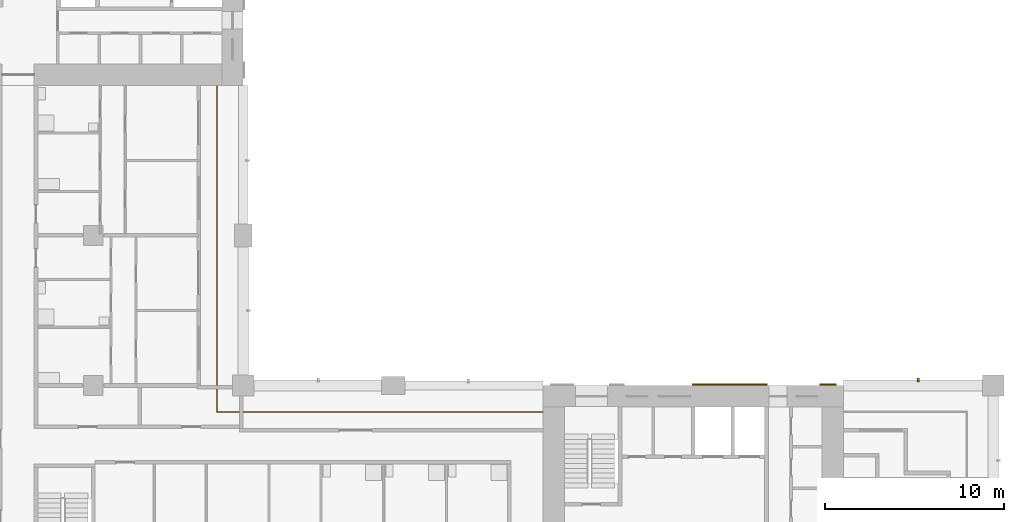
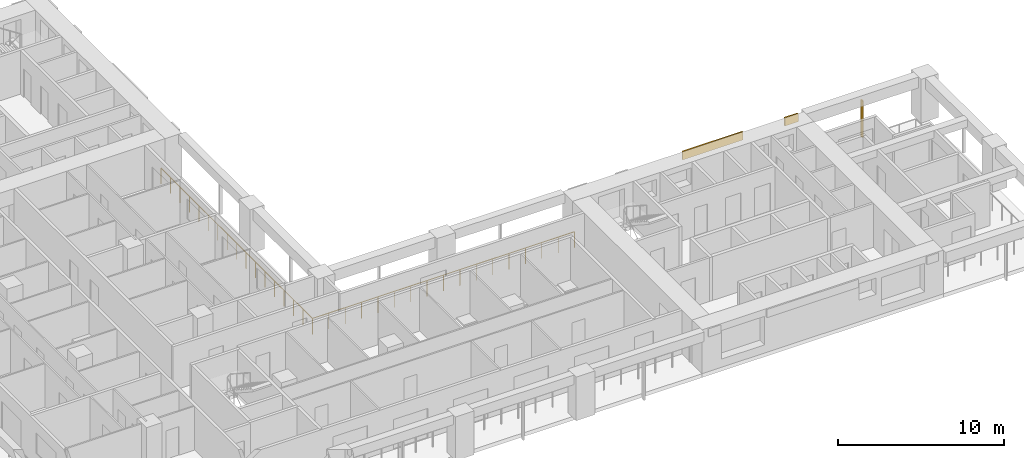
# One storey, part 14 of 17: 3 shading devices, 1 railing.
"""IFC4 building model written with IfcOpenShell, lengths in metres."""

from ifc_helpers import new_model, si_unit, direction, frame, origin, origin_2d, place, context, subcontext, project, spatial, rectangle, circle, extrude, material, layer, layer_set, material_profile, profile_set, type_object, element, save


model = new_model("IFC4")

# Units and contexts
model_context = context("Model", 3, precision=1e-05, world=origin(), true_north=direction((0.0, 1.0)))
body_context = subcontext(model_context, "Body", "Model", "MODEL_VIEW")
ifc_project = project(units=[si_unit("LENGTHUNIT", "METRE"), si_unit("AREAUNIT", "SQUARE_METRE"), si_unit("VOLUMEUNIT", "CUBIC_METRE"), si_unit("PLANEANGLEUNIT", "RADIAN"), si_unit("MASSUNIT", "GRAM", prefix="KILO")], contexts=[model_context])

# Site, building, storey
site_placement = place(None, origin())
site = spatial("IfcSite", under=ifc_project, at=site_placement, CompositionType="ELEMENT")
building_placement = place(site_placement, origin())
building = spatial("IfcBuilding", under=site, at=building_placement, Name="Vermilion Gate Residences", CompositionType="ELEMENT")
storey_placement = place(building_placement, frame((0.0, 0.0, 91.699951171875)))
storey = spatial("IfcBuildingStorey", under=building, at=storey_placement, Name="L22", CompositionType="ELEMENT", Elevation=91.699951171875)

# Railing
ifc_material_1 = material(Name="Stainless steel and toughened glass", Category="steel")
railing_type = type_object("IfcRailingType", Name="LOGGIA GUARD STEEL AND GLASS 1200", PredefinedType="GUARDRAIL", material=ifc_material_1)
railing_placement = place(storey_placement, frame((41.97802734375, 23.72509765625, 0.0)))
element("IfcRailing", 1, at=railing_placement, inside=storey, type_object=railing_type, Name="Loggia guard", PredefinedType="GUARDRAIL", context=body_context, shape_type="SweptSolid", body=[
    extrude(circle(Radius=0.030029296875, at=origin_2d()), frame((0.0, 0.0, 1.169921875), z_axis=(-1.0, 0.0, 0.0), x_axis=(0.0, -1.0, 0.0)), (0.0, 0.0, 1.0), 18.2529296875),
    extrude(circle(Radius=0.030029296875, at=origin_2d()), frame((-18.2529296875, 0.0, 1.169921875), z_axis=(0.0, 1.0, 0.0), x_axis=(-1.0, 0.0, 0.0)), (0.0, 0.0, 1.0), 18.2529296875),
    extrude(circle(Radius=0.02490234375, at=origin_2d()), origin(), (0.0, 0.0, 1.0), 1.139892578125),
    extrude(circle(Radius=0.02490234375, at=origin_2d()), frame((-1.140869140625, 0.0, 0.0)), (0.0, 0.0, 1.0), 1.139892578125),
    extrude(circle(Radius=0.02490234375, at=origin_2d()), frame((-2.28173828125, 0.0, 0.0)), (0.0, 0.0, 1.0), 1.139892578125),
    extrude(circle(Radius=0.02490234375, at=origin_2d()), frame((-3.42236328125, 0.0, 0.0)), (0.0, 0.0, 1.0), 1.139892578125),
    extrude(circle(Radius=0.02490234375, at=origin_2d()), frame((-4.563232421875, 0.0, 0.0)), (0.0, 0.0, 1.0), 1.139892578125),
    extrude(circle(Radius=0.02490234375, at=origin_2d()), frame((-5.7041015625, 0.0, 0.0)), (0.0, 0.0, 1.0), 1.139892578125),
    extrude(circle(Radius=0.02490234375, at=origin_2d()), frame((-6.8447265625, 0.0, 0.0)), (0.0, 0.0, 1.0), 1.139892578125),
    extrude(circle(Radius=0.02490234375, at=origin_2d()), frame((-7.985595703125, 0.0, 0.0)), (0.0, 0.0, 1.0), 1.139892578125),
    extrude(circle(Radius=0.02490234375, at=origin_2d()), frame((-9.12646484375, 0.0, 0.0)), (0.0, 0.0, 1.0), 1.139892578125),
    extrude(circle(Radius=0.02490234375, at=origin_2d()), frame((-10.267333984375, 0.0, 0.0)), (0.0, 0.0, 1.0), 1.139892578125),
    extrude(circle(Radius=0.02490234375, at=origin_2d()), frame((-11.408203125, 0.0, 0.0)), (0.0, 0.0, 1.0), 1.139892578125),
    extrude(circle(Radius=0.02490234375, at=origin_2d()), frame((-12.548828125, 0.0, 0.0)), (0.0, 0.0, 1.0), 1.139892578125),
    extrude(circle(Radius=0.02490234375, at=origin_2d()), frame((-13.689697265625, 0.0, 0.0)), (0.0, 0.0, 1.0), 1.139892578125),
    extrude(circle(Radius=0.02490234375, at=origin_2d()), frame((-14.83056640625, 0.0, 0.0)), (0.0, 0.0, 1.0), 1.139892578125),
    extrude(circle(Radius=0.02490234375, at=origin_2d()), frame((-15.97119140625, 0.0, 0.0)), (0.0, 0.0, 1.0), 1.139892578125),
    extrude(circle(Radius=0.02490234375, at=origin_2d()), frame((-17.112060546875, 0.0, 0.0)), (0.0, 0.0, 1.0), 1.139892578125),
    extrude(circle(Radius=0.02490234375, at=origin_2d()), frame((-18.2529296875, 0.0, 0.0)), (0.0, 0.0, 1.0), 1.139892578125),
    extrude(circle(Radius=0.02490234375, at=origin_2d()), frame((-18.2529296875, 1.140869140625, 0.0)), (0.0, 0.0, 1.0), 1.139892578125),
    extrude(circle(Radius=0.02490234375, at=origin_2d()), frame((-18.2529296875, 2.28173828125, 0.0)), (0.0, 0.0, 1.0), 1.139892578125),
    extrude(circle(Radius=0.02490234375, at=origin_2d()), frame((-18.2529296875, 3.42236328125, 0.0)), (0.0, 0.0, 1.0), 1.139892578125),
    extrude(circle(Radius=0.02490234375, at=origin_2d()), frame((-18.2529296875, 4.563232421875, 0.0)), (0.0, 0.0, 1.0), 1.139892578125),
    extrude(circle(Radius=0.02490234375, at=origin_2d()), frame((-18.2529296875, 5.7041015625, 0.0)), (0.0, 0.0, 1.0), 1.139892578125),
    extrude(circle(Radius=0.02490234375, at=origin_2d()), frame((-18.2529296875, 6.8447265625, 0.0)), (0.0, 0.0, 1.0), 1.139892578125),
    extrude(circle(Radius=0.02490234375, at=origin_2d()), frame((-18.2529296875, 7.985595703125, 0.0)), (0.0, 0.0, 1.0), 1.139892578125),
    extrude(circle(Radius=0.02490234375, at=origin_2d()), frame((-18.2529296875, 9.12646484375, 0.0)), (0.0, 0.0, 1.0), 1.139892578125),
    extrude(circle(Radius=0.02490234375, at=origin_2d()), frame((-18.2529296875, 10.267333984375, 0.0)), (0.0, 0.0, 1.0), 1.139892578125),
    extrude(circle(Radius=0.02490234375, at=origin_2d()), frame((-18.2529296875, 11.408203125, 0.0)), (0.0, 0.0, 1.0), 1.139892578125),
    extrude(circle(Radius=0.02490234375, at=origin_2d()), frame((-18.2529296875, 12.548828125, 0.0)), (0.0, 0.0, 1.0), 1.139892578125),
    extrude(circle(Radius=0.02490234375, at=origin_2d()), frame((-18.2529296875, 13.689697265625, 0.0)), (0.0, 0.0, 1.0), 1.139892578125),
    extrude(circle(Radius=0.02490234375, at=origin_2d()), frame((-18.2529296875, 14.83056640625, 0.0)), (0.0, 0.0, 1.0), 1.139892578125),
    extrude(circle(Radius=0.02490234375, at=origin_2d()), frame((-18.2529296875, 15.97119140625, 0.0)), (0.0, 0.0, 1.0), 1.139892578125),
    extrude(circle(Radius=0.02490234375, at=origin_2d()), frame((-18.2529296875, 17.112060546875, 0.0)), (0.0, 0.0, 1.0), 1.139892578125),
    extrude(circle(Radius=0.02490234375, at=origin_2d()), frame((-18.2529296875, 18.2529296875, 0.0)), (0.0, 0.0, 1.0), 1.139892578125),
])

# Shading devices
ifc_material_2 = material(Name="Extruded terracotta", Category="masonry")
ifc_material_profile = material_profile(ifc_material_2, rectangle(XDim=0.199951171875, YDim=0.10009765625, at=origin_2d()), Name="BAGUETTE 100 X 200")
ifc_profile_set = profile_set([ifc_material_profile], Name="Extruded terracotta")
shading_device_type_1 = type_object("IfcShadingDeviceType", Name="TERRACOTTA BAGUETTE 100 X 200", PredefinedType="JALOUSIE", material=ifc_profile_set)
shading_device_1_placement = place(storey_placement, frame((63.0, 25.5, -0.280029296875), z_axis=(0.0, 0.0, 1.0), x_axis=(0.0, -1.0, 0.0)))
element("IfcShadingDevice", 2, at=shading_device_1_placement, inside=storey, type_object=shading_device_type_1, Name="BAGUETTE", PredefinedType="JALOUSIE", context=body_context, shape_type="SweptSolid", body=[
    extrude(rectangle(XDim=0.199951171875, YDim=0.10009765625, at=origin_2d()), origin(), (0.0, 0.0, 1.0), 2.7001953125),
])
ifc_material_3 = material(Name="Extruded terracotta", Category="masonry")
ifc_layer = layer(ifc_material_3, 0.10009765625)
ifc_layer_set = layer_set([ifc_layer], Name="TERRACOTTA SPANDREL BAND 600 X 100")
shading_device_type_2 = type_object("IfcShadingDeviceType", Name="TERRACOTTA SPANDREL BAND 600 X 100", PredefinedType="USERDEFINED", material=ifc_layer_set)
shading_device_2_placement = place(storey_placement, frame((52.449951171875, 25.25, 2.6201171875), z_axis=(0.0, 0.0, 1.0), x_axis=(1.0, 0.0, 0.0)))
element("IfcShadingDevice", 3, at=shading_device_2_placement, inside=storey, type_object=shading_device_type_2, Name="SPANDREL BAND", ObjectType="BAND", PredefinedType="USERDEFINED", context=body_context, shape_type="SweptSolid", body=[
    extrude(rectangle(XDim=4.199951171875, YDim=0.10009765625, at=origin_2d()), origin(), (0.0, 0.0, 1.0), 0.60009765625),
])
shading_device_3_placement = place(storey_placement, frame((57.9375, 25.25, 2.6201171875), z_axis=(0.0, 0.0, 1.0), x_axis=(1.0, 0.0, 0.0)))
element("IfcShadingDevice", 4, at=shading_device_3_placement, inside=storey, type_object=shading_device_type_2, Name="SPANDREL BAND", ObjectType="BAND", PredefinedType="USERDEFINED", context=body_context, shape_type="SweptSolid", body=[
    extrude(rectangle(XDim=0.925048828125, YDim=0.10009765625, at=origin_2d()), origin(), (0.0, 0.0, 1.0), 0.60009765625),
])

save(model, "model.ifc")
